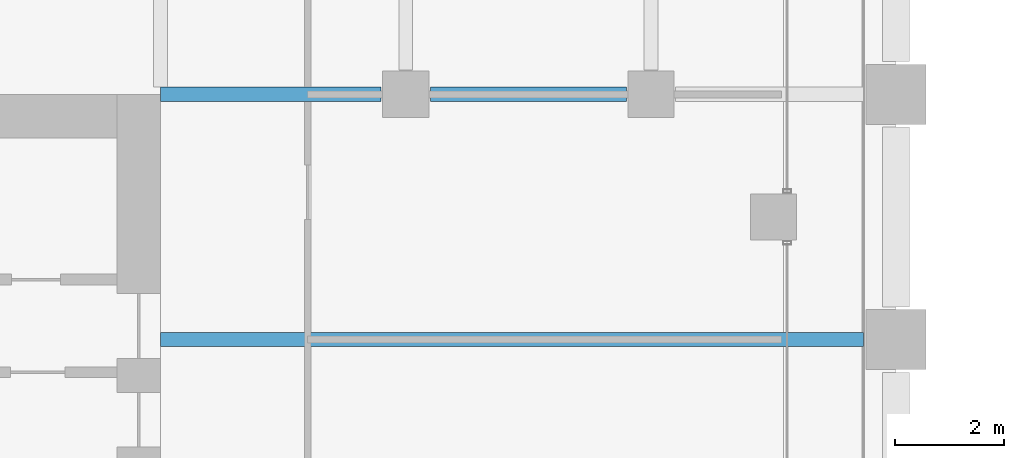
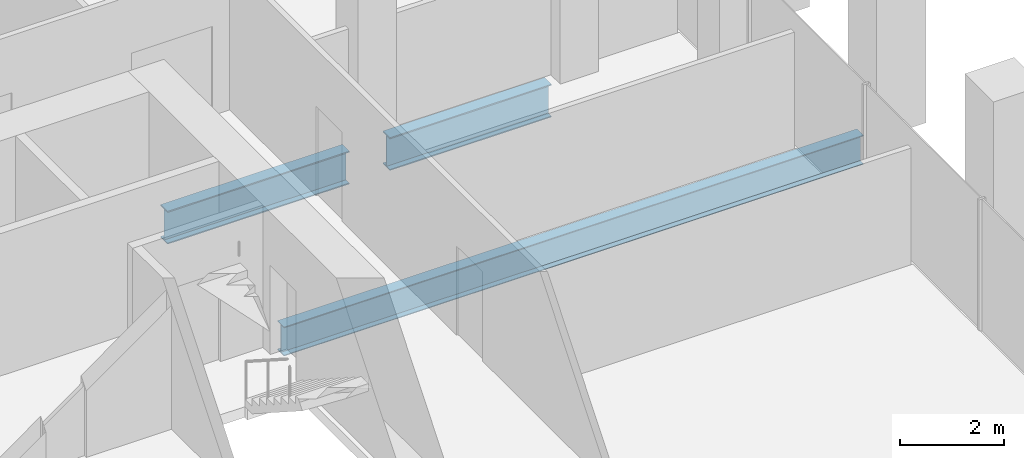
# One storey, part 21 of 55: 3 beams.
"""IFC4 building model written with IfcOpenShell, lengths in metres."""

import ifcopenshell
import ifcopenshell.guid

model = None  # the IFC model being written
_history = None  # IfcOwnerHistory: only IFC2X3 demands one
_inside = {}  # id of a spatial element -> (the spatial element, [elements in it])
_under = {}  # id of a project, library or spatial element -> (it, [spatial elements below it])
_declared = {}  # id of a project -> (the project, [libraries it declares])
_typed = {}  # id of a type object -> (the type object, [elements of that type])
_made_of = {}  # id of a material, layer set ... -> (it, [elements and type objects made of it])


def new_model(schema):
    """Start an empty IFC model of exactly this schema.

    Asked for "IFC4X3", IfcOpenShell would pick the latest addendum, in which some entities
    have other attributes; the version numbers below select the first issue.
    IFC2X3 requires an IfcOwnerHistory on every rooted entity: one is made here for all.
    """
    global model, _history
    if schema == "IFC4X3":
        model = ifcopenshell.file(schema_version=(4, 3, 0, 0))
    else:
        model = ifcopenshell.file(schema=schema)
    _inside.clear()
    _under.clear()
    _declared.clear()
    _typed.clear()
    _made_of.clear()
    _history = None
    if model.schema == "IFC2X3":
        org = make("IfcOrganization", Name="unknown")
        user = make(
            "IfcPersonAndOrganization",
            ThePerson=make("IfcPerson", FamilyName="unknown"),
            TheOrganization=org,
        )
        app = make(
            "IfcApplication",
            ApplicationDeveloper=org,
            Version="unknown",
            ApplicationFullName="unknown",
            ApplicationIdentifier="unknown",
        )
        _history = make(
            "IfcOwnerHistory",
            OwningUser=user,
            OwningApplication=app,
            ChangeAction="ADDED",
            CreationDate=0,
        )
    return model


def make(cls, **values):
    """One entity of the class cls with the attributes given. An attribute that is None is left unset."""
    return model.create_entity(
        cls, **{name: value for name, value in values.items() if value is not None}
    )


def rooted(cls, **values):
    """An entity with a GlobalId (a new one), such as an element, a storey or a relation."""
    return make(cls, GlobalId=ifcopenshell.guid.new(), OwnerHistory=_history, **values)


def si_unit(unit_type, name, prefix=None):
    """IfcSIUnit, for example si_unit("LENGTHUNIT", "METRE", prefix="MILLI")."""
    return make("IfcSIUnit", UnitType=unit_type, Prefix=prefix, Name=name)


def assignment(units):
    """IfcUnitAssignment: the units of a project."""
    return None if units is None else make("IfcUnitAssignment", Units=units)


def point(xyz):
    """IfcCartesianPoint."""
    return None if xyz is None else make("IfcCartesianPoint", Coordinates=xyz)


def direction(xyz):
    """IfcDirection."""
    return None if xyz is None else make("IfcDirection", DirectionRatios=xyz)


def frame(location, z_axis=None, x_axis=None):
    """IfcAxis2Placement3D, a coordinate frame: its origin and axes. An axis left out is left unset."""
    return make(
        "IfcAxis2Placement3D",
        Location=point(location),
        Axis=direction(z_axis),
        RefDirection=direction(x_axis),
    )


def frame_2d(location, x_axis=None):
    """IfcAxis2Placement2D, a coordinate frame in the plane: its origin and x axis."""
    return make(
        "IfcAxis2Placement2D", Location=point(location), RefDirection=direction(x_axis)
    )


def origin():
    """The frame at (0, 0, 0) with its axes left unset."""
    return frame((0.0, 0.0, 0.0))


def origin_2d():
    """The frame at (0, 0) in the plane with its x axis left unset."""
    return frame_2d((0.0, 0.0))


def place(relative_to, where):
    """IfcLocalPlacement: puts the frame where relative to a parent placement (None: the world)."""
    return make(
        "IfcLocalPlacement", PlacementRelTo=relative_to, RelativePlacement=where
    )


def context(
    kind, dimensions, precision=None, world=None, true_north=None, identifier=None
):
    """IfcGeometricRepresentationContext, for example the 3D "Model" context."""
    return make(
        "IfcGeometricRepresentationContext",
        ContextIdentifier=identifier,
        ContextType=kind,
        CoordinateSpaceDimension=dimensions,
        Precision=precision,
        WorldCoordinateSystem=world,
        TrueNorth=true_north,
    )


def subcontext(parent, identifier, kind, view, scale=None):
    """IfcGeometricRepresentationSubContext, for example "Body" below "Model"."""
    return make(
        "IfcGeometricRepresentationSubContext",
        ContextIdentifier=identifier,
        ContextType=kind,
        ParentContext=parent,
        TargetScale=scale,
        TargetView=view,
    )


def project(units=None, contexts=None):
    """IfcProject with its units and contexts."""
    return rooted(
        "IfcProject",
        Name="project",
        RepresentationContexts=contexts,
        UnitsInContext=assignment(units),
    )


def spatial(cls, under=None, at=None, **own):
    """A site, building, storey or space (cls), placed at a placement, below another one or the project."""
    s = rooted(cls, ObjectPlacement=at, **own)
    if under is not None:
        _under.setdefault(under.id(), (under, []))[1].append(s)
    return s


def profile(cls, at=None, kind="AREA", **sizes):
    """A parametric profile (cls). Its sizes go by their IFC names, for example OverallWidth=200.0."""
    return make(cls, ProfileType=kind, Position=at, **sizes)


def i_section(**sizes):
    """IfcIShapeProfileDef."""
    return profile("IfcIShapeProfileDef", **sizes)


def extrude(swept, where, along, depth):
    """IfcExtrudedAreaSolid: the profile swept, set in the frame where, extruded along a direction by depth."""
    return make(
        "IfcExtrudedAreaSolid",
        SweptArea=swept,
        Position=where,
        ExtrudedDirection=direction(along),
        Depth=depth,
    )


def shape(context_of_items, identifier, shape_type, items):
    """IfcShapeRepresentation: the items that make up one representation, for example the "Body"."""
    return make(
        "IfcShapeRepresentation",
        ContextOfItems=context_of_items,
        RepresentationIdentifier=identifier,
        RepresentationType=shape_type,
        Items=items,
    )


def material(Name=None, Category=None):
    """IfcMaterial."""
    return make("IfcMaterial", Name=Name, Category=Category)


def material_profile(
    of_material, cross_section, Name=None, Category=None, Priority=None
):
    """IfcMaterialProfile: a cross section and its material."""
    return make(
        "IfcMaterialProfile",
        Name=Name,
        Material=of_material,
        Profile=cross_section,
        Priority=Priority,
        Category=Category,
    )


def profile_set(profiles, Name=None, composite=None):
    """IfcMaterialProfileSet."""
    return make(
        "IfcMaterialProfileSet",
        Name=Name,
        MaterialProfiles=profiles,
        CompositeProfile=composite,
    )


def made_of(thing, what):
    """Note that an element or type object is made of a material, layer set ...; save() writes the relation."""
    if what is not None:
        _made_of.setdefault(what.id(), (what, []))[1].append(thing)
    return thing


def type_object(cls, material=None, **own):
    """A type object (cls), such as IfcWallType, which elements share."""
    return made_of(rooted(cls, **own), material)


def element(
    cls,
    number,
    at=None,
    inside=None,
    cuts=None,
    type_object=None,
    material=None,
    context=None,
    identifier="Body",
    shape_type=None,
    held_by="IfcProductDefinitionShape",
    body=None,
    shapes=None,
    **own,
):
    """One element of the class cls, such as IfcWall. Its Tag is "e" and its number.

    at: its placement. inside: the storey or other place that contains it. cuts: it is an
    opening in that element (IfcRelVoidsElement). A single representation is given by context,
    identifier, shape_type and body (its items); several are given by shapes. held_by: the class
    of the entity that holds the representations. save() writes the other relations.
    """
    e = rooted(cls, Tag="e%d" % number, ObjectPlacement=at, **own)
    if body is not None:
        shapes = [shape(context, identifier, shape_type, body)]
    if shapes is not None:
        e.Representation = make(held_by, Representations=shapes)
    if inside is not None:
        _inside.setdefault(inside.id(), (inside, []))[1].append(e)
    if cuts is not None:
        rooted(
            "IfcRelVoidsElement", RelatingBuildingElement=cuts, RelatedOpeningElement=e
        )
    if type_object is not None:
        _typed.setdefault(type_object.id(), (type_object, []))[1].append(e)
    return made_of(e, material)


def aggregate(whole, parts):
    """IfcRelAggregates: a whole, such as a stair, and the parts it consists of."""
    return rooted("IfcRelAggregates", RelatingObject=whole, RelatedObjects=parts)


def save(model, path):
    """Write the relations noted so far, then the file.

    IfcRelAggregates (storeys below a building ...), IfcRelContainedInSpatialStructure (elements
    in a storey), IfcRelDefinesByType, IfcRelAssociatesMaterial and IfcRelDeclares: one each for
    every whole, place, type object, material and project.
    """
    for whole, parts in _under.values():
        aggregate(whole, parts)
    for where, things in _inside.values():
        rooted(
            "IfcRelContainedInSpatialStructure",
            RelatedElements=things,
            RelatingStructure=where,
        )
    for kind, things in _typed.values():
        rooted("IfcRelDefinesByType", RelatedObjects=things, RelatingType=kind)
    for what, things in _made_of.values():
        rooted("IfcRelAssociatesMaterial", RelatedObjects=things, RelatingMaterial=what)
    for by, libraries in _declared.values():
        rooted("IfcRelDeclares", RelatingContext=by, RelatedDefinitions=libraries)
    model.write(path)


model = new_model("IFC4")

# Units and contexts
model_context = context("Model", 3, precision=1e-05, world=origin(), true_north=direction((0.0, 1.0)))
body_context = subcontext(model_context, "Body", "Model", "MODEL_VIEW")
ifc_project = project(units=[si_unit("LENGTHUNIT", "METRE"), si_unit("AREAUNIT", "SQUARE_METRE"), si_unit("VOLUMEUNIT", "CUBIC_METRE"), si_unit("PLANEANGLEUNIT", "RADIAN"), si_unit("MASSUNIT", "GRAM", prefix="KILO")], contexts=[model_context])

# Site, building, storey
site_placement = place(None, origin())
site = spatial("IfcSite", under=ifc_project, at=site_placement, CompositionType="ELEMENT")
building_placement = place(site_placement, origin())
building = spatial("IfcBuilding", under=site, at=building_placement, Name="Altepetl Exchange Towers", CompositionType="ELEMENT")
storey_placement = place(building_placement, frame((0.0, 0.0, 47.39990234375)))
storey = spatial("IfcBuildingStorey", under=building, at=storey_placement, Name="L10", CompositionType="ELEMENT", Elevation=47.39990234375)

# Beams
ifc_material = material(Name="Steel S355", Category="steel")
ifc_material_profile_1 = material_profile(ifc_material, i_section(OverallWidth=0.25390625, OverallDepth=0.68408203125, WebThickness=0.012451171875, FlangeThickness=0.018798828125, at=origin_2d()), Name="W27X94")
ifc_profile_set_1 = profile_set([ifc_material_profile_1], Name="Steel S355")
beam_type_1 = type_object("IfcBeamType", Name="Floor beam W27X94", PredefinedType="BEAM", material=ifc_profile_set_1)
beam_1_placement = place(storey_placement, frame((58.5, 54.0, -0.491943359375), z_axis=(1.0, 0.0, 0.0), x_axis=(0.0, 1.0, 0.0)))
element("IfcBeam", 1, at=beam_1_placement, inside=storey, type_object=beam_type_1, Name="bm:A:L10:011", PredefinedType="BEAM", context=body_context, shape_type="SweptSolid", body=[
    extrude(i_section(OverallWidth=0.25390625, OverallDepth=0.68408203125, WebThickness=0.012451171875, FlangeThickness=0.018798828125, at=origin_2d()), origin(), (0.0, 0.0, 1.0), 12.89990234375),
])
ifc_material_profile_2 = material_profile(ifc_material, i_section(OverallWidth=0.26806640625, OverallDepth=0.77392578125, WebThickness=0.015380859375, FlangeThickness=0.025390625, at=origin_2d()), Name="W30X132")
ifc_profile_set_2 = profile_set([ifc_material_profile_2], Name="Steel S355")
beam_type_2 = type_object("IfcBeamType", Name="Girder W30X132", PredefinedType="BEAM", material=ifc_profile_set_2)
beam_2_placement = place(storey_placement, frame((58.5, 58.5, -0.536865234375), z_axis=(1.0, 0.0, 0.0), x_axis=(0.0, 1.0, 0.0)))
element("IfcBeam", 2, at=beam_2_placement, inside=storey, type_object=beam_type_2, Name="gd:A:L10:000", PredefinedType="BEAM", context=body_context, shape_type="SweptSolid", body=[
    extrude(i_section(OverallWidth=0.26806640625, OverallDepth=0.77392578125, WebThickness=0.015380859375, FlangeThickness=0.025390625, at=origin_2d()), origin(), (0.0, 0.0, 1.0), 4.050048828125),
])
beam_3_placement = place(storey_placement, frame((63.449951171875, 58.5, -0.536865234375), z_axis=(1.0, 0.0, 0.0), x_axis=(0.0, 1.0, 0.0)))
element("IfcBeam", 3, at=beam_3_placement, inside=storey, type_object=beam_type_2, Name="gd:A:L10:001", PredefinedType="BEAM", context=body_context, shape_type="SweptSolid", body=[
    extrude(i_section(OverallWidth=0.26806640625, OverallDepth=0.77392578125, WebThickness=0.015380859375, FlangeThickness=0.025390625, at=origin_2d()), origin(), (0.0, 0.0, 1.0), 3.60009765625),
])

save(model, "model.ifc")
